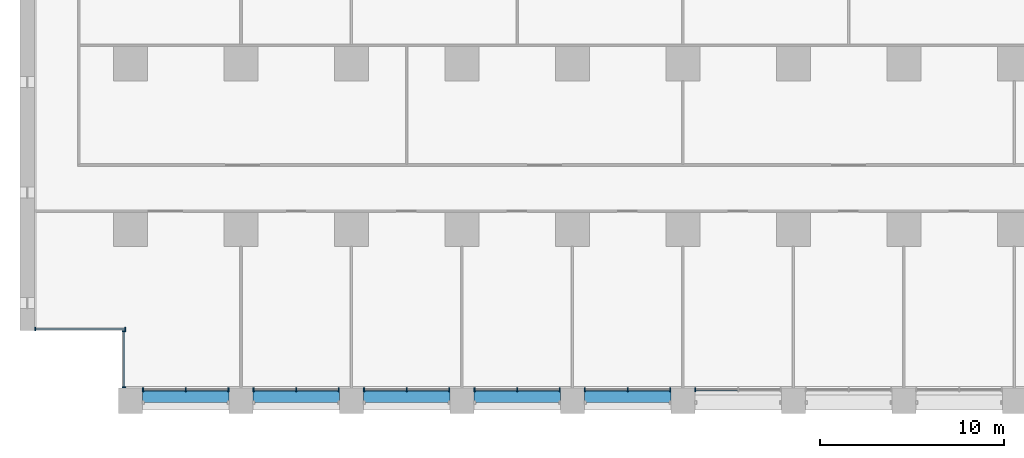
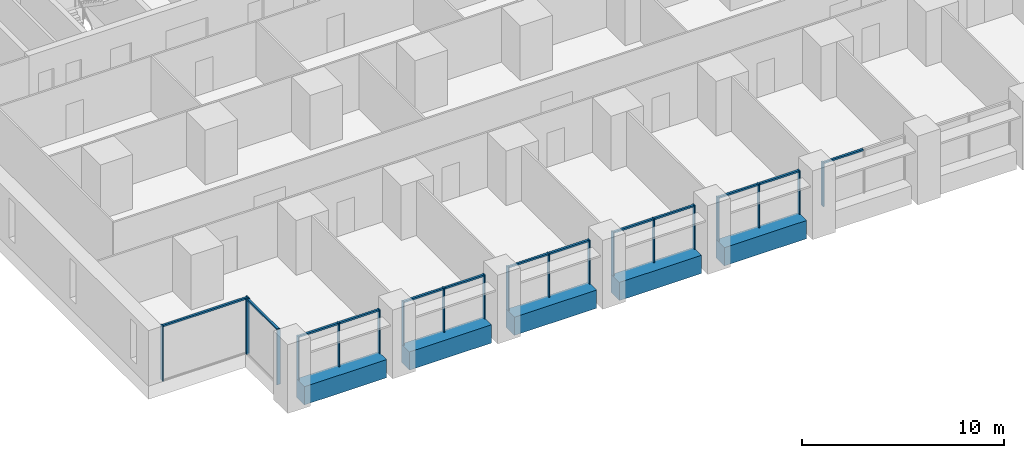
# One storey, part 2 of 18: 33 members, 5 beams, 8 elements without a shape of their own.
"""IFC4 building model written with IfcOpenShell, lengths in metres."""

from ifc_helpers import new_model, si_unit, direction, frame, origin, origin_2d, place, context, subcontext, project, spatial, rectangle, extrude, material, material_profile, profile_set, type_object, element, aggregate, save


model = new_model("IFC4")

# Units and contexts
model_context = context("Model", 3, precision=1e-05, world=origin(), true_north=direction((0.0, 1.0)))
body_context = subcontext(model_context, "Body", "Model", "MODEL_VIEW")
ifc_project = project(units=[si_unit("LENGTHUNIT", "METRE"), si_unit("AREAUNIT", "SQUARE_METRE"), si_unit("VOLUMEUNIT", "CUBIC_METRE"), si_unit("PLANEANGLEUNIT", "RADIAN"), si_unit("MASSUNIT", "GRAM", prefix="KILO")], contexts=[model_context])

# Site, building, storey
site_placement = place(None, origin())
site = spatial("IfcSite", under=ifc_project, at=site_placement, CompositionType="ELEMENT")
building_placement = place(site_placement, origin())
building = spatial("IfcBuilding", under=site, at=building_placement, Name="Calvaro Tower", CompositionType="ELEMENT")
storey_placement = place(building_placement, frame((0.0, 0.0, 22.5)))
storey = spatial("IfcBuildingStorey", under=building, at=storey_placement, Name="L04", CompositionType="ELEMENT", Elevation=22.5)

# Curtain wall, members
ifc_material_1 = material(Name="Anodised aluminium", Category="aluminium")
curtain_wall_type = type_object("IfcCurtainWallType", Name="Office curtain wall, lower zone", PredefinedType="NOTDEFINED", material=ifc_material_1)
curtain_wall_1_placement = place(storey_placement, origin())
curtain_wall_1 = element("IfcCurtainWall", 1, at=curtain_wall_1_placement, inside=storey, type_object=curtain_wall_type, Name="CW1 south curtain wall", PredefinedType="NOTDEFINED")
ifc_material_2 = material(Name="Anodised aluminium", Category="aluminium")
ifc_material_profile_1 = material_profile(ifc_material_2, rectangle(XDim=0.199951171875, YDim=0.06005859375, at=origin_2d()), Name="Mullion S1 60 x 200")
ifc_profile_set_1 = profile_set([ifc_material_profile_1], Name="Anodised aluminium")
member_type_1 = type_object("IfcMemberType", Name="Mullion S1 60 x 200", PredefinedType="MULLION", material=ifc_profile_set_1)
member_1_placement = place(storey_placement, frame((6.679931640625, 1.300048828125, 0.0), z_axis=(0.0, 0.0, 1.0), x_axis=(0.0, 1.0, 0.0)))
member_1 = element("IfcMember", 2, at=member_1_placement, type_object=member_type_1, Name="CW1 mullion 1", PredefinedType="MULLION", context=body_context, shape_type="SweptSolid", body=[
    extrude(rectangle(XDim=0.199951171875, YDim=0.06005859375, at=origin_2d()), origin(), (0.0, 0.0, 1.0), 2.64990234375),
])
member_2_placement = place(storey_placement, frame((9.0, 1.300048828125, 0.0), z_axis=(0.0, 0.0, 1.0), x_axis=(0.0, 1.0, 0.0)))
member_2 = element("IfcMember", 3, at=member_2_placement, type_object=member_type_1, Name="CW1 mullion 2", PredefinedType="MULLION", context=body_context, shape_type="SweptSolid", body=[
    extrude(rectangle(XDim=0.199951171875, YDim=0.06005859375, at=origin_2d()), origin(), (0.0, 0.0, 1.0), 2.64990234375),
])
member_3_placement = place(storey_placement, frame((11.320068359375, 1.300048828125, 0.0), z_axis=(0.0, 0.0, 1.0), x_axis=(0.0, 1.0, 0.0)))
member_3 = element("IfcMember", 4, at=member_3_placement, type_object=member_type_1, Name="CW1 mullion 3", PredefinedType="MULLION", context=body_context, shape_type="SweptSolid", body=[
    extrude(rectangle(XDim=0.199951171875, YDim=0.06005859375, at=origin_2d()), origin(), (0.0, 0.0, 1.0), 2.64990234375),
])

curtain_wall_2_placement = place(storey_placement, origin())
curtain_wall_2 = element("IfcCurtainWall", 5, at=curtain_wall_2_placement, inside=storey, type_object=curtain_wall_type, Name="CW1 south curtain wall", PredefinedType="NOTDEFINED")
member_4_placement = place(storey_placement, frame((12.679931640625, 1.300048828125, 0.0), z_axis=(0.0, 0.0, 1.0), x_axis=(0.0, 1.0, 0.0)))
member_4 = element("IfcMember", 6, at=member_4_placement, type_object=member_type_1, Name="CW1 mullion 1", PredefinedType="MULLION", context=body_context, shape_type="SweptSolid", body=[
    extrude(rectangle(XDim=0.199951171875, YDim=0.06005859375, at=origin_2d()), origin(), (0.0, 0.0, 1.0), 2.64990234375),
])
member_5_placement = place(storey_placement, frame((15.0, 1.300048828125, 0.0), z_axis=(0.0, 0.0, 1.0), x_axis=(0.0, 1.0, 0.0)))
member_5 = element("IfcMember", 7, at=member_5_placement, type_object=member_type_1, Name="CW1 mullion 2", PredefinedType="MULLION", context=body_context, shape_type="SweptSolid", body=[
    extrude(rectangle(XDim=0.199951171875, YDim=0.06005859375, at=origin_2d()), origin(), (0.0, 0.0, 1.0), 2.64990234375),
])
member_6_placement = place(storey_placement, frame((17.320068359375, 1.300048828125, 0.0), z_axis=(0.0, 0.0, 1.0), x_axis=(0.0, 1.0, 0.0)))
member_6 = element("IfcMember", 8, at=member_6_placement, type_object=member_type_1, Name="CW1 mullion 3", PredefinedType="MULLION", context=body_context, shape_type="SweptSolid", body=[
    extrude(rectangle(XDim=0.199951171875, YDim=0.06005859375, at=origin_2d()), origin(), (0.0, 0.0, 1.0), 2.64990234375),
])

curtain_wall_3_placement = place(storey_placement, origin())
curtain_wall_3 = element("IfcCurtainWall", 9, at=curtain_wall_3_placement, inside=storey, type_object=curtain_wall_type, Name="CW1 south curtain wall", PredefinedType="NOTDEFINED")
member_7_placement = place(storey_placement, frame((18.679931640625, 1.300048828125, 0.0), z_axis=(0.0, 0.0, 1.0), x_axis=(0.0, 1.0, 0.0)))
member_7 = element("IfcMember", 10, at=member_7_placement, type_object=member_type_1, Name="CW1 mullion 1", PredefinedType="MULLION", context=body_context, shape_type="SweptSolid", body=[
    extrude(rectangle(XDim=0.199951171875, YDim=0.06005859375, at=origin_2d()), origin(), (0.0, 0.0, 1.0), 2.64990234375),
])
member_8_placement = place(storey_placement, frame((21.0, 1.300048828125, 0.0), z_axis=(0.0, 0.0, 1.0), x_axis=(0.0, 1.0, 0.0)))
member_8 = element("IfcMember", 11, at=member_8_placement, type_object=member_type_1, Name="CW1 mullion 2", PredefinedType="MULLION", context=body_context, shape_type="SweptSolid", body=[
    extrude(rectangle(XDim=0.199951171875, YDim=0.06005859375, at=origin_2d()), origin(), (0.0, 0.0, 1.0), 2.64990234375),
])
member_9_placement = place(storey_placement, frame((23.320068359375, 1.300048828125, 0.0), z_axis=(0.0, 0.0, 1.0), x_axis=(0.0, 1.0, 0.0)))
member_9 = element("IfcMember", 12, at=member_9_placement, type_object=member_type_1, Name="CW1 mullion 3", PredefinedType="MULLION", context=body_context, shape_type="SweptSolid", body=[
    extrude(rectangle(XDim=0.199951171875, YDim=0.06005859375, at=origin_2d()), origin(), (0.0, 0.0, 1.0), 2.64990234375),
])

curtain_wall_4_placement = place(storey_placement, origin())
curtain_wall_4 = element("IfcCurtainWall", 13, at=curtain_wall_4_placement, inside=storey, type_object=curtain_wall_type, Name="CW1 south curtain wall", PredefinedType="NOTDEFINED")
member_10_placement = place(storey_placement, frame((24.679931640625, 1.300048828125, 0.0), z_axis=(0.0, 0.0, 1.0), x_axis=(0.0, 1.0, 0.0)))
member_10 = element("IfcMember", 14, at=member_10_placement, type_object=member_type_1, Name="CW1 mullion 1", PredefinedType="MULLION", context=body_context, shape_type="SweptSolid", body=[
    extrude(rectangle(XDim=0.199951171875, YDim=0.06005859375, at=origin_2d()), origin(), (0.0, 0.0, 1.0), 2.64990234375),
])
member_11_placement = place(storey_placement, frame((27.0, 1.300048828125, 0.0), z_axis=(0.0, 0.0, 1.0), x_axis=(0.0, 1.0, 0.0)))
member_11 = element("IfcMember", 15, at=member_11_placement, type_object=member_type_1, Name="CW1 mullion 2", PredefinedType="MULLION", context=body_context, shape_type="SweptSolid", body=[
    extrude(rectangle(XDim=0.199951171875, YDim=0.06005859375, at=origin_2d()), origin(), (0.0, 0.0, 1.0), 2.64990234375),
])
member_12_placement = place(storey_placement, frame((29.320068359375, 1.300048828125, 0.0), z_axis=(0.0, 0.0, 1.0), x_axis=(0.0, 1.0, 0.0)))
member_12 = element("IfcMember", 16, at=member_12_placement, type_object=member_type_1, Name="CW1 mullion 3", PredefinedType="MULLION", context=body_context, shape_type="SweptSolid", body=[
    extrude(rectangle(XDim=0.199951171875, YDim=0.06005859375, at=origin_2d()), origin(), (0.0, 0.0, 1.0), 2.64990234375),
])

curtain_wall_5_placement = place(storey_placement, origin())
curtain_wall_5 = element("IfcCurtainWall", 17, at=curtain_wall_5_placement, inside=storey, type_object=curtain_wall_type, Name="CW1 south curtain wall", PredefinedType="NOTDEFINED")
member_13_placement = place(storey_placement, frame((30.679931640625, 1.300048828125, 0.0), z_axis=(0.0, 0.0, 1.0), x_axis=(0.0, 1.0, 0.0)))
member_13 = element("IfcMember", 18, at=member_13_placement, type_object=member_type_1, Name="CW1 mullion 1", PredefinedType="MULLION", context=body_context, shape_type="SweptSolid", body=[
    extrude(rectangle(XDim=0.199951171875, YDim=0.06005859375, at=origin_2d()), origin(), (0.0, 0.0, 1.0), 2.64990234375),
])
member_14_placement = place(storey_placement, frame((33.0, 1.300048828125, 0.0), z_axis=(0.0, 0.0, 1.0), x_axis=(0.0, 1.0, 0.0)))
member_14 = element("IfcMember", 19, at=member_14_placement, type_object=member_type_1, Name="CW1 mullion 2", PredefinedType="MULLION", context=body_context, shape_type="SweptSolid", body=[
    extrude(rectangle(XDim=0.199951171875, YDim=0.06005859375, at=origin_2d()), origin(), (0.0, 0.0, 1.0), 2.64990234375),
])
member_15_placement = place(storey_placement, frame((35.320068359375, 1.300048828125, 0.0), z_axis=(0.0, 0.0, 1.0), x_axis=(0.0, 1.0, 0.0)))
member_15 = element("IfcMember", 20, at=member_15_placement, type_object=member_type_1, Name="CW1 mullion 3", PredefinedType="MULLION", context=body_context, shape_type="SweptSolid", body=[
    extrude(rectangle(XDim=0.199951171875, YDim=0.06005859375, at=origin_2d()), origin(), (0.0, 0.0, 1.0), 2.64990234375),
])

# Curtain wall, member
curtain_wall_6_placement = place(storey_placement, origin())
curtain_wall_6 = element("IfcCurtainWall", 21, at=curtain_wall_6_placement, inside=storey, type_object=curtain_wall_type, Name="CW1 south curtain wall", PredefinedType="NOTDEFINED")
member_16_placement = place(storey_placement, frame((36.679931640625, 1.300048828125, 0.0), z_axis=(0.0, 0.0, 1.0), x_axis=(0.0, 1.0, 0.0)))
member_16 = element("IfcMember", 22, at=member_16_placement, type_object=member_type_1, Name="CW1 mullion 1", PredefinedType="MULLION", context=body_context, shape_type="SweptSolid", body=[
    extrude(rectangle(XDim=0.199951171875, YDim=0.06005859375, at=origin_2d()), origin(), (0.0, 0.0, 1.0), 2.64990234375),
])

# Curtain wall, members
curtain_wall_7_placement = place(storey_placement, origin())
curtain_wall_7 = element("IfcCurtainWall", 23, at=curtain_wall_7_placement, inside=storey, type_object=curtain_wall_type, Name="CW1 corner curtain wall", PredefinedType="NOTDEFINED")
member_17_placement = place(storey_placement, frame((5.64990234375, 1.429931640625, 0.0), z_axis=(0.0, 0.0, 1.0), x_axis=(-1.0, 0.0, 0.0)))
member_17 = element("IfcMember", 24, at=member_17_placement, type_object=member_type_1, Name="CW1 mullion 1", PredefinedType="MULLION", context=body_context, shape_type="SweptSolid", body=[
    extrude(rectangle(XDim=0.199951171875, YDim=0.06005859375, at=origin_2d()), origin(), (0.0, 0.0, 1.0), 3.35009765625),
])
member_18_placement = place(storey_placement, frame((5.64990234375, 4.469970703125, 0.0), z_axis=(0.0, 0.0, 1.0), x_axis=(-1.0, 0.0, 0.0)))
member_18 = element("IfcMember", 25, at=member_18_placement, type_object=member_type_1, Name="CW1 mullion 2", PredefinedType="MULLION", context=body_context, shape_type="SweptSolid", body=[
    extrude(rectangle(XDim=0.199951171875, YDim=0.06005859375, at=origin_2d()), origin(), (0.0, 0.0, 1.0), 3.35009765625),
])

curtain_wall_8_placement = place(storey_placement, origin())
curtain_wall_8 = element("IfcCurtainWall", 26, at=curtain_wall_8_placement, inside=storey, type_object=curtain_wall_type, Name="CW1 corner curtain wall", PredefinedType="NOTDEFINED")
member_19_placement = place(storey_placement, frame((0.830078125, 4.60009765625, 0.0), z_axis=(0.0, 0.0, 1.0), x_axis=(0.0, 1.0, 0.0)))
member_19 = element("IfcMember", 27, at=member_19_placement, type_object=member_type_1, Name="CW1 mullion 1", PredefinedType="MULLION", context=body_context, shape_type="SweptSolid", body=[
    extrude(rectangle(XDim=0.199951171875, YDim=0.06005859375, at=origin_2d()), origin(), (0.0, 0.0, 1.0), 3.35009765625),
])
member_20_placement = place(storey_placement, frame((5.719970703125, 4.60009765625, 0.0), z_axis=(0.0, 0.0, 1.0), x_axis=(0.0, 1.0, 0.0)))
member_20 = element("IfcMember", 28, at=member_20_placement, type_object=member_type_1, Name="CW1 mullion 2", PredefinedType="MULLION", context=body_context, shape_type="SweptSolid", body=[
    extrude(rectangle(XDim=0.199951171875, YDim=0.06005859375, at=origin_2d()), origin(), (0.0, 0.0, 1.0), 3.35009765625),
])

# Beams
ifc_material_3 = material(Name="Concrete C50/60 precast", Category="concrete")
ifc_material_profile_2 = material_profile(ifc_material_3, rectangle(XDim=0.800048828125, YDim=1.10009765625, at=origin_2d()), Name="RC 800x1100")
ifc_profile_set_2 = profile_set([ifc_material_profile_2], Name="Concrete C50/60 precast")
beam_type = type_object("IfcBeamType", Name="Spandrel beam 800x1100 C50/60", PredefinedType="SPANDREL", material=ifc_profile_set_2)
for number, where, z_axis, x_axis, name in (
    (29, (6.64990234375, 1.0, -0.550048828125), (1.0, 0.0, 0.0), (0.0, 1.0, 0.0), "Spandrel beam"),
    (30, (12.64990234375, 1.0, -0.550048828125), (1.0, 0.0, 0.0), (0.0, 1.0, 0.0), "Spandrel beam"),
    (31, (18.64990234375, 1.0, -0.550048828125), (1.0, 0.0, 0.0), (0.0, 1.0, 0.0), "Spandrel beam"),
    (32, (24.64990234375, 1.0, -0.550048828125), (1.0, 0.0, 0.0), (0.0, 1.0, 0.0), "Spandrel beam"),
    (33, (30.64990234375, 1.0, -0.550048828125), (1.0, 0.0, 0.0), (0.0, 1.0, 0.0), "Spandrel beam"),
):
    element("IfcBeam", number, at=place(storey_placement, frame(where, z_axis=z_axis, x_axis=x_axis)), inside=storey, type_object=beam_type, Name=name, PredefinedType="SPANDREL", context=body_context, shape_type="SweptSolid", body=[
        extrude(rectangle(XDim=0.800048828125, YDim=1.10009765625, at=origin_2d()), origin(), (0.0, 0.0, 1.0), 4.7001953125),
    ])

# Member
ifc_material_4 = material(Name="Anodised aluminium", Category="aluminium")
ifc_material_profile_3 = material_profile(ifc_material_4, rectangle(XDim=0.1201171875, YDim=0.10009765625, at=origin_2d()), Name="Transom S1 100 x 120")
ifc_profile_set_3 = profile_set([ifc_material_profile_3], Name="Anodised aluminium")
member_type_2 = type_object("IfcMemberType", Name="Transom S1 100 x 120", PredefinedType="USERDEFINED", material=ifc_profile_set_3)
member_21_placement = place(storey_placement, frame((6.7099609375, 1.300048828125, 2.60009765625), z_axis=(1.0, 0.0, 0.0), x_axis=(0.0, 1.0, 0.0)))
member_21 = element("IfcMember", 34, at=member_21_placement, type_object=member_type_2, Name="CW1 transom 1.1", ObjectType="TRANSOM", PredefinedType="USERDEFINED", context=body_context, shape_type="SweptSolid", body=[
    extrude(rectangle(XDim=0.1201171875, YDim=0.10009765625, at=origin_2d()), origin(), (0.0, 0.0, 1.0), 2.260009765625),
])

member_22_placement = place(storey_placement, frame((9.030029296875, 1.300048828125, 2.60009765625), z_axis=(1.0, 0.0, 0.0), x_axis=(0.0, 1.0, 0.0)))
member_22 = element("IfcMember", 35, at=member_22_placement, type_object=member_type_2, Name="CW1 transom 2.1", ObjectType="TRANSOM", PredefinedType="USERDEFINED", context=body_context, shape_type="SweptSolid", body=[
    extrude(rectangle(XDim=0.1201171875, YDim=0.10009765625, at=origin_2d()), origin(), (0.0, 0.0, 1.0), 2.260009765625),
])

aggregate(curtain_wall_1, [member_1, member_2, member_3, member_21, member_22])

member_23_placement = place(storey_placement, frame((12.7099609375, 1.300048828125, 2.60009765625), z_axis=(1.0, 0.0, 0.0), x_axis=(0.0, 1.0, 0.0)))
member_23 = element("IfcMember", 36, at=member_23_placement, type_object=member_type_2, Name="CW1 transom 1.1", ObjectType="TRANSOM", PredefinedType="USERDEFINED", context=body_context, shape_type="SweptSolid", body=[
    extrude(rectangle(XDim=0.1201171875, YDim=0.10009765625, at=origin_2d()), origin(), (0.0, 0.0, 1.0), 2.260009765625),
])

member_24_placement = place(storey_placement, frame((15.030029296875, 1.300048828125, 2.60009765625), z_axis=(1.0, 0.0, 0.0), x_axis=(0.0, 1.0, 0.0)))
member_24 = element("IfcMember", 37, at=member_24_placement, type_object=member_type_2, Name="CW1 transom 2.1", ObjectType="TRANSOM", PredefinedType="USERDEFINED", context=body_context, shape_type="SweptSolid", body=[
    extrude(rectangle(XDim=0.1201171875, YDim=0.10009765625, at=origin_2d()), origin(), (0.0, 0.0, 1.0), 2.260009765625),
])

aggregate(curtain_wall_2, [member_4, member_5, member_6, member_23, member_24])

member_25_placement = place(storey_placement, frame((18.7099609375, 1.300048828125, 2.60009765625), z_axis=(1.0, 0.0, 0.0), x_axis=(0.0, 1.0, 0.0)))
member_25 = element("IfcMember", 38, at=member_25_placement, type_object=member_type_2, Name="CW1 transom 1.1", ObjectType="TRANSOM", PredefinedType="USERDEFINED", context=body_context, shape_type="SweptSolid", body=[
    extrude(rectangle(XDim=0.1201171875, YDim=0.10009765625, at=origin_2d()), origin(), (0.0, 0.0, 1.0), 2.260009765625),
])

member_26_placement = place(storey_placement, frame((21.030029296875, 1.300048828125, 2.60009765625), z_axis=(1.0, 0.0, 0.0), x_axis=(0.0, 1.0, 0.0)))
member_26 = element("IfcMember", 39, at=member_26_placement, type_object=member_type_2, Name="CW1 transom 2.1", ObjectType="TRANSOM", PredefinedType="USERDEFINED", context=body_context, shape_type="SweptSolid", body=[
    extrude(rectangle(XDim=0.1201171875, YDim=0.10009765625, at=origin_2d()), origin(), (0.0, 0.0, 1.0), 2.260009765625),
])

aggregate(curtain_wall_3, [member_7, member_8, member_9, member_25, member_26])

member_27_placement = place(storey_placement, frame((24.7099609375, 1.300048828125, 2.60009765625), z_axis=(1.0, 0.0, 0.0), x_axis=(0.0, 1.0, 0.0)))
member_27 = element("IfcMember", 40, at=member_27_placement, type_object=member_type_2, Name="CW1 transom 1.1", ObjectType="TRANSOM", PredefinedType="USERDEFINED", context=body_context, shape_type="SweptSolid", body=[
    extrude(rectangle(XDim=0.1201171875, YDim=0.10009765625, at=origin_2d()), origin(), (0.0, 0.0, 1.0), 2.260009765625),
])

member_28_placement = place(storey_placement, frame((27.030029296875, 1.300048828125, 2.60009765625), z_axis=(1.0, 0.0, 0.0), x_axis=(0.0, 1.0, 0.0)))
member_28 = element("IfcMember", 41, at=member_28_placement, type_object=member_type_2, Name="CW1 transom 2.1", ObjectType="TRANSOM", PredefinedType="USERDEFINED", context=body_context, shape_type="SweptSolid", body=[
    extrude(rectangle(XDim=0.1201171875, YDim=0.10009765625, at=origin_2d()), origin(), (0.0, 0.0, 1.0), 2.260009765625),
])

aggregate(curtain_wall_4, [member_10, member_11, member_12, member_27, member_28])

member_29_placement = place(storey_placement, frame((30.7099609375, 1.300048828125, 2.60009765625), z_axis=(1.0, 0.0, 0.0), x_axis=(0.0, 1.0, 0.0)))
member_29 = element("IfcMember", 42, at=member_29_placement, type_object=member_type_2, Name="CW1 transom 1.1", ObjectType="TRANSOM", PredefinedType="USERDEFINED", context=body_context, shape_type="SweptSolid", body=[
    extrude(rectangle(XDim=0.1201171875, YDim=0.10009765625, at=origin_2d()), origin(), (0.0, 0.0, 1.0), 2.260009765625),
])

member_30_placement = place(storey_placement, frame((33.030029296875, 1.300048828125, 2.60009765625), z_axis=(1.0, 0.0, 0.0), x_axis=(0.0, 1.0, 0.0)))
member_30 = element("IfcMember", 43, at=member_30_placement, type_object=member_type_2, Name="CW1 transom 2.1", ObjectType="TRANSOM", PredefinedType="USERDEFINED", context=body_context, shape_type="SweptSolid", body=[
    extrude(rectangle(XDim=0.1201171875, YDim=0.10009765625, at=origin_2d()), origin(), (0.0, 0.0, 1.0), 2.260009765625),
])

aggregate(curtain_wall_5, [member_13, member_14, member_15, member_29, member_30])

member_31_placement = place(storey_placement, frame((36.7099609375, 1.300048828125, 2.60009765625), z_axis=(1.0, 0.0, 0.0), x_axis=(0.0, 1.0, 0.0)))
member_31 = element("IfcMember", 44, at=member_31_placement, type_object=member_type_2, Name="CW1 transom 1.1", ObjectType="TRANSOM", PredefinedType="USERDEFINED", context=body_context, shape_type="SweptSolid", body=[
    extrude(rectangle(XDim=0.1201171875, YDim=0.10009765625, at=origin_2d()), origin(), (0.0, 0.0, 1.0), 2.260009765625),
])

aggregate(curtain_wall_6, [member_16, member_31])

member_32_placement = place(storey_placement, frame((5.64990234375, 1.4599609375, 3.300048828125), z_axis=(0.0, 1.0, 0.0), x_axis=(-1.0, 0.0, 0.0)))
member_32 = element("IfcMember", 45, at=member_32_placement, type_object=member_type_2, Name="CW1 transom 1.1", ObjectType="TRANSOM", PredefinedType="USERDEFINED", context=body_context, shape_type="SweptSolid", body=[
    extrude(rectangle(XDim=0.1201171875, YDim=0.10009765625, at=origin_2d()), origin(), (0.0, 0.0, 1.0), 2.97998046875),
])

aggregate(curtain_wall_7, [member_17, member_18, member_32])

member_33_placement = place(storey_placement, frame((0.860107421875, 4.60009765625, 3.300048828125), z_axis=(1.0, 0.0, 0.0), x_axis=(0.0, 1.0, 0.0)))
member_33 = element("IfcMember", 46, at=member_33_placement, type_object=member_type_2, Name="CW1 transom 1.1", ObjectType="TRANSOM", PredefinedType="USERDEFINED", context=body_context, shape_type="SweptSolid", body=[
    extrude(rectangle(XDim=0.1201171875, YDim=0.10009765625, at=origin_2d()), origin(), (0.0, 0.0, 1.0), 4.829833984375),
])

aggregate(curtain_wall_8, [member_19, member_20, member_33])

save(model, "model.ifc")
